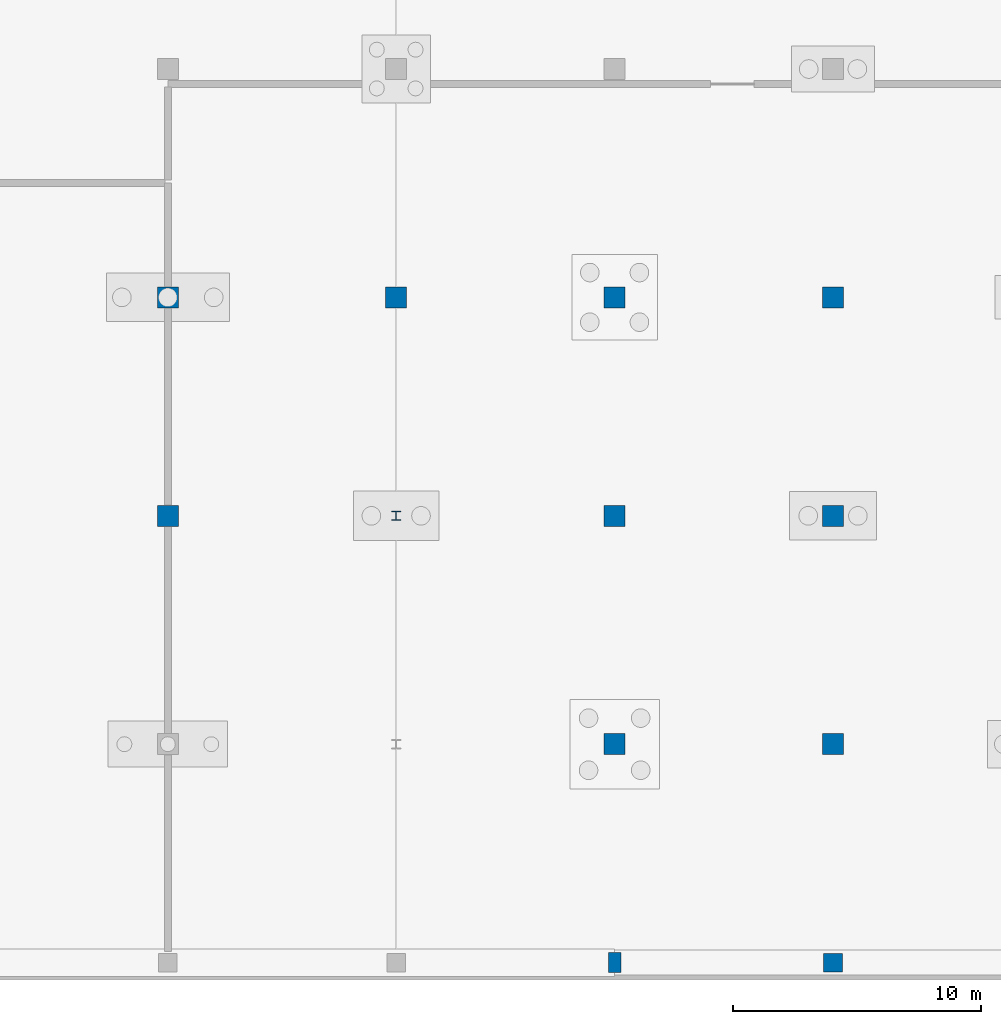
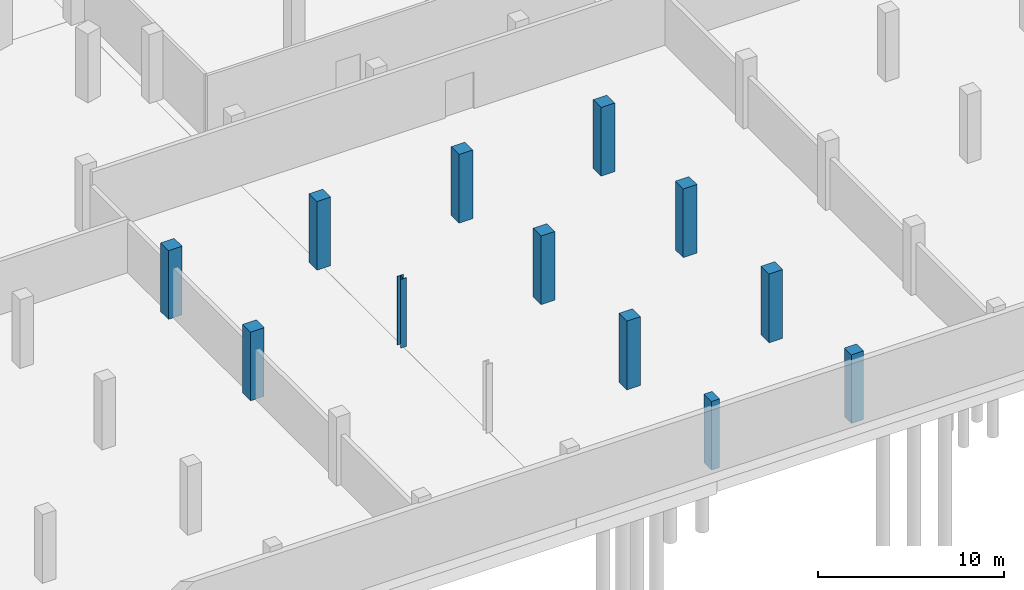
# One storey, part 10 of 29: 12 columns.
"""IFC4 building model written with IfcOpenShell, lengths in metres."""

from ifc_helpers import new_model, si_unit, direction, frame, origin, origin_2d, place, context, subcontext, project, spatial, rectangle, i_section, extrude, material, material_profile, profile_set, type_object, element, save


model = new_model("IFC4")

# Units and contexts
model_context = context("Model", 3, precision=1e-05, world=origin(), true_north=direction((0.0, 1.0)))
body_context = subcontext(model_context, "Body", "Model", "MODEL_VIEW")
ifc_project = project(units=[si_unit("LENGTHUNIT", "METRE"), si_unit("AREAUNIT", "SQUARE_METRE"), si_unit("VOLUMEUNIT", "CUBIC_METRE"), si_unit("PLANEANGLEUNIT", "RADIAN"), si_unit("MASSUNIT", "GRAM", prefix="KILO")], contexts=[model_context])

# Site, building, storey
site_placement = place(None, origin())
site = spatial("IfcSite", under=ifc_project, at=site_placement, CompositionType="ELEMENT")
building_placement = place(site_placement, origin())
building = spatial("IfcBuilding", under=site, at=building_placement, Name="Meriwether Solvik Hall", CompositionType="ELEMENT")
storey_placement = place(building_placement, frame((0.0, 0.0, -9.0)))
storey = spatial("IfcBuildingStorey", under=building, at=storey_placement, Name="B02", CompositionType="ELEMENT", Elevation=-9.0)

# Columns
ifc_material_1 = material(Name="Concrete C40/50", Category="concrete")
ifc_material_profile_1 = material_profile(ifc_material_1, rectangle(XDim=0.75, YDim=0.75, at=origin_2d()), Name="RCC-750X750")
ifc_profile_set_1 = profile_set([ifc_material_profile_1], Name="Concrete C40/50")
column_type_1 = type_object("IfcColumnType", Name="COL-RC-750", PredefinedType="COLUMN", material=ifc_profile_set_1)
column_1_placement = place(storey_placement, frame((131.800048828125, 5.199951171875, 0.0), z_axis=(0.0, 0.0, 1.0), x_axis=(1.0, 0.0, 0.0)))
element("IfcColumn", 1, at=column_1_placement, inside=storey, type_object=column_type_1, Name="Podium Column 15/A (B02)", PredefinedType="COLUMN", context=body_context, shape_type="SweptSolid", body=[
    extrude(rectangle(XDim=0.75, YDim=0.75, at=origin_2d()), origin(), (0.0, 0.0, 1.0), 4.5),
])
ifc_material_2 = material(Name="Concrete C40/50", Category="concrete")
ifc_material_profile_2 = material_profile(ifc_material_2, rectangle(XDim=0.85009765625, YDim=0.85009765625, at=origin_2d()), Name="RCC-850X850")
ifc_profile_set_2 = profile_set([ifc_material_profile_2], Name="Concrete C40/50")
column_type_2 = type_object("IfcColumnType", Name="COL-RC-850", PredefinedType="COLUMN", material=ifc_profile_set_2)
for number, where, z_axis, x_axis, name in (
    (2, (105.0, 23.199951171875, 0.0), (0.0, 0.0, 1.0), (1.0, 0.0, 0.0), "Podium Column 12/C (B02)"),
    (3, (105.0, 32.0, 0.0), (0.0, 0.0, 1.0), (1.0, 0.0, 0.0), "Podium Column 12/D (B02)"),
    (4, (114.199951171875, 32.0, 0.0), (0.0, 0.0, 1.0), (1.0, 0.0, 0.0), "Podium Column 13/D (B02)"),
    (5, (123.0, 14.0, 0.0), (0.0, 0.0, 1.0), (1.0, 0.0, 0.0), "Podium Column 14/B (B02)"),
    (6, (123.0, 23.199951171875, 0.0), (0.0, 0.0, 1.0), (1.0, 0.0, 0.0), "Podium Column 14/C (B02)"),
    (7, (123.0, 32.0, 0.0), (0.0, 0.0, 1.0), (1.0, 0.0, 0.0), "Podium Column 14/D (B02)"),
    (8, (131.800048828125, 14.0, 0.0), (0.0, 0.0, 1.0), (1.0, 0.0, 0.0), "Podium Column 15/B (B02)"),
    (9, (131.800048828125, 23.199951171875, 0.0), (0.0, 0.0, 1.0), (1.0, 0.0, 0.0), "Podium Column 15/C (B02)"),
    (10, (131.800048828125, 32.0, 0.0), (0.0, 0.0, 1.0), (1.0, 0.0, 0.0), "Podium Column 15/D (B02)"),
):
    element("IfcColumn", number, at=place(storey_placement, frame(where, z_axis=z_axis, x_axis=x_axis)), inside=storey, type_object=column_type_2, Name=name, PredefinedType="COLUMN", context=body_context, shape_type="SweptSolid", body=[
        extrude(rectangle(XDim=0.85009765625, YDim=0.85009765625, at=origin_2d()), origin(), (0.0, 0.0, 1.0), 4.5),
    ])
ifc_material_3 = material(Name="Steel A992 Grade 50", Category="steel")
ifc_material_profile_3 = material_profile(ifc_material_3, i_section(OverallWidth=0.3740234375, OverallDepth=0.3720703125, WebThickness=0.016357421875, FlangeThickness=0.026123046875, at=origin_2d()), Name="W14X132")
ifc_profile_set_3 = profile_set([ifc_material_profile_3], Name="Steel A992 Grade 50")
column_type_3 = type_object("IfcColumnType", Name="COL-STL-W14X132", PredefinedType="COLUMN", material=ifc_profile_set_3)
column_2_placement = place(storey_placement, frame((114.199951171875, 23.199951171875, 0.0), z_axis=(0.0, 0.0, 1.0), x_axis=(1.0, 0.0, 0.0)))
element("IfcColumn", 11, at=column_2_placement, inside=storey, type_object=column_type_3, Name="Podium Column 13/C (B02)", PredefinedType="COLUMN", context=body_context, shape_type="SweptSolid", body=[
    extrude(i_section(OverallWidth=0.3740234375, OverallDepth=0.3720703125, WebThickness=0.016357421875, FlangeThickness=0.026123046875, at=origin_2d()), origin(), (0.0, 0.0, 1.0), 4.5),
])
ifc_material_4 = material(Name="Concrete C40/50", Category="concrete")
ifc_material_profile_4 = material_profile(ifc_material_4, rectangle(XDim=0.5, YDim=0.800048828125, at=origin_2d()), Name="RCP-500X800")
ifc_profile_set_4 = profile_set([ifc_material_profile_4], Name="Concrete C40/50")
column_type_4 = type_object("IfcColumnType", Name="PIL-RC-500X800", PredefinedType="PILASTER", material=ifc_profile_set_4)
column_3_placement = place(storey_placement, frame((123.0, 5.199951171875, 0.0), z_axis=(0.0, 0.0, 1.0), x_axis=(1.0, 0.0, 0.0)))
element("IfcColumn", 12, at=column_3_placement, inside=storey, type_object=column_type_4, Name="Podium Column 14/A (B02)", PredefinedType="PILASTER", context=body_context, shape_type="SweptSolid", body=[
    extrude(rectangle(XDim=0.5, YDim=0.800048828125, at=origin_2d()), origin(), (0.0, 0.0, 1.0), 4.5),
])

save(model, "model.ifc")
